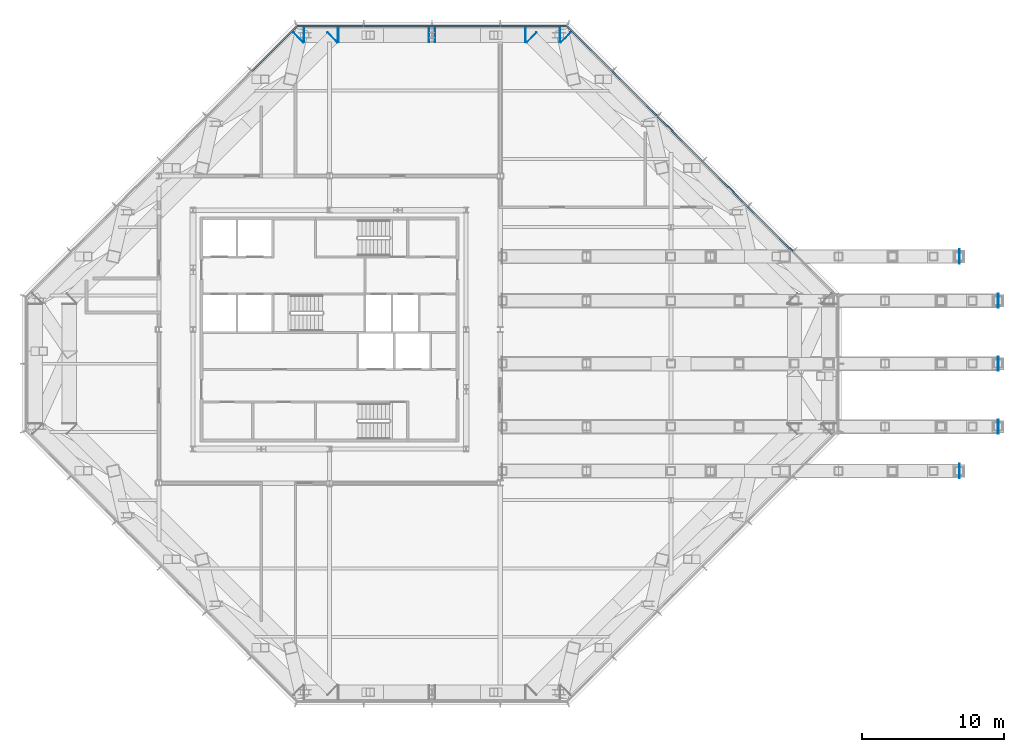
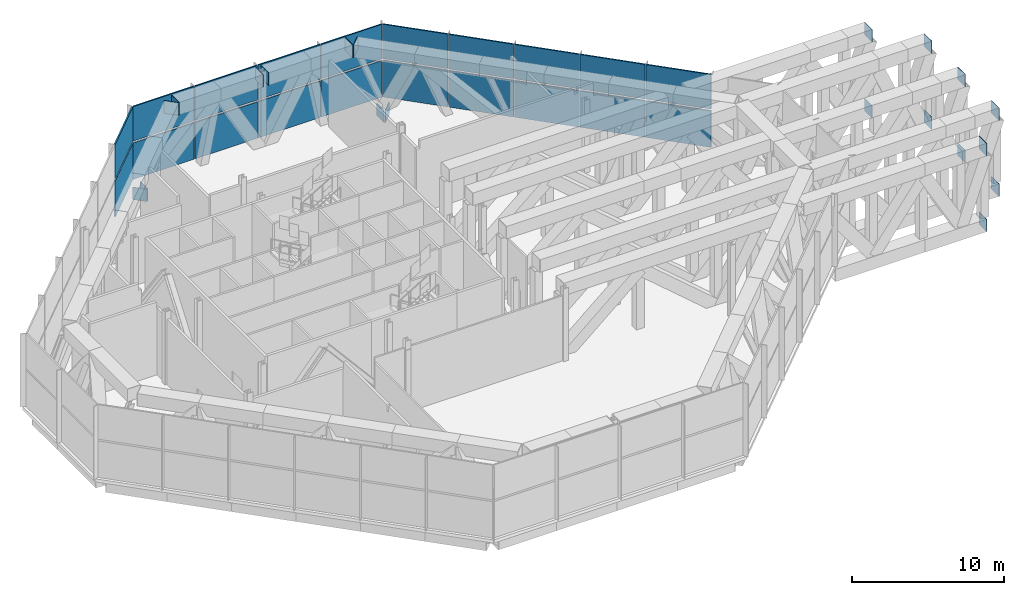
# One storey, part 13 of 18: 40 plates, 3 elements without a shape of their own.
"""IFC4 building model written with IfcOpenShell, lengths in metres."""

from ifc_helpers import new_model, si_unit, direction, frame, origin, origin_2d, place, context, subcontext, project, spatial, rectangle, extrude, material, layer, layer_set, material_profile, profile_set, type_object, element, aggregate, save


model = new_model("IFC4")

# Units and contexts
model_context = context("Model", 3, precision=1e-05, world=origin(), true_north=direction((0.0, 1.0)))
body_context = subcontext(model_context, "Body", "Model", "MODEL_VIEW")
ifc_project = project(units=[si_unit("LENGTHUNIT", "METRE"), si_unit("AREAUNIT", "SQUARE_METRE"), si_unit("VOLUMEUNIT", "CUBIC_METRE"), si_unit("PLANEANGLEUNIT", "RADIAN"), si_unit("MASSUNIT", "GRAM", prefix="KILO")], contexts=[model_context])

# Site, building, storey
site_placement = place(None, origin())
site = spatial("IfcSite", under=ifc_project, at=site_placement, CompositionType="ELEMENT")
building_placement = place(site_placement, origin())
building = spatial("IfcBuilding", under=site, at=building_placement, Name="Cairn Pilgrim Tower", CompositionType="ELEMENT")
storey_placement = place(building_placement, frame((0.0, 0.0, 261.0)))
storey = spatial("IfcBuildingStorey", under=building, at=storey_placement, Name="L67", CompositionType="ELEMENT", Elevation=261.0)

# Plates
ifc_material_1 = material(Name="Structural steel S460M", Category="steel")
ifc_material_profile = material_profile(ifc_material_1, rectangle(XDim=1.0, YDim=1.0, at=origin_2d()), Name="END PLATE BOX 1000x1000x60")
ifc_profile_set = profile_set([ifc_material_profile], Name="Structural steel S460M")
plate_type_1 = type_object("IfcPlateType", Name="END PLATE BOX 1000x1000x60", PredefinedType="SHEET", material=ifc_profile_set)
for number, where, z_axis, x_axis, name in (
    (1, (23.80908203125, 22.918212890625, -0.75), (-0.707106781187, 0.707106781187, 0.0), (-0.707106781187, -0.707106781187, 0.0), "EP-BT67-NE-BC6-B"),
    (2, (21.408935546875, 22.918212890625, 5.35009765625), (-0.707106781187, 0.707106781187, 0.0), (-0.707106781187, -0.707106781187, 0.0), "EP-BT67-NE-TC6-B"),
    (3, (23.3701171875, 23.10009765625, -0.75), (1.0, 0.0, 0.0), (0.0, 1.0, 0.0), "EP-BT67-N-BC1-A"),
):
    element("IfcPlate", number, at=place(storey_placement, frame(where, z_axis=z_axis, x_axis=x_axis)), inside=storey, type_object=plate_type_1, Name=name, PredefinedType="SHEET", context=body_context, shape_type="SweptSolid", body=[
        extrude(rectangle(XDim=1.0, YDim=1.0, at=origin_2d()), origin(), (0.0, 0.0, 1.0), 0.0400390625),
    ])
for number, where, z_axis, x_axis, name in (
    (4, (20.97021484375, 23.10009765625, 5.35009765625), (1.0, 0.0, 0.0), (0.0, 1.0, 0.0), "EP-BT67-N-TC1-A"),
    (5, (14.639404296875, 23.10009765625, 5.35009765625), (-1.0, 0.0, 0.0), (0.0, -1.0, 0.0), "EP-BT67-N-TC2-B"),
):
    element("IfcPlate", number, at=place(storey_placement, frame(where, z_axis=z_axis, x_axis=x_axis)), inside=storey, type_object=plate_type_1, Name=name, PredefinedType="SHEET", context=body_context, shape_type="SweptSolid", body=[
        extrude(rectangle(XDim=1.0, YDim=1.0, at=origin_2d()), origin(), (0.0, 0.0, 1.0), 0.039794921875),
    ])
for number, where, z_axis, x_axis, name in (
    (6, (14.160400390625, 23.10009765625, 5.35009765625), (1.0, 0.0, 0.0), (0.0, 1.0, 0.0), "EP-BT67-N-TC3-A"),
    (7, (5.429931640625, 23.10009765625, -0.75), (-1.0, 0.0, 0.0), (0.0, -1.0, 0.0), "EP-BT67-N-BC4-B"),
    (8, (7.829833984375, 23.10009765625, 5.35009765625), (-1.0, 0.0, 0.0), (0.0, -1.0, 0.0), "EP-BT67-N-TC4-B"),
    (9, (4.990966796875, 22.918212890625, -0.75), (0.707106781187, 0.707106781187, 0.0), (-0.707106781187, 0.707106781187, 0.0), "EP-BT67-NW-BC1-A"),
):
    element("IfcPlate", number, at=place(storey_placement, frame(where, z_axis=z_axis, x_axis=x_axis)), inside=storey, type_object=plate_type_1, Name=name, PredefinedType="SHEET", context=body_context, shape_type="SweptSolid", body=[
        extrude(rectangle(XDim=1.0, YDim=1.0, at=origin_2d()), origin(), (0.0, 0.0, 1.0), 0.0400390625),
    ])
plate_1_placement = place(storey_placement, frame((7.39111328125, 22.918212890625, 5.35009765625), z_axis=(0.704039115956, 0.710161195225, 0.0), x_axis=(-0.710161195225, 0.704039115956, 0.0)))
element("IfcPlate", 10, at=plate_1_placement, inside=storey, type_object=plate_type_1, Name="EP-BT67-NW-TC1-A", PredefinedType="SHEET", context=body_context, shape_type="SweptSolid", body=[
    extrude(rectangle(XDim=1.0, YDim=1.0, at=origin_2d()), origin(), (0.0, 0.0, 1.0), 0.039794921875),
])
for number, where, z_axis, x_axis, name in (
    (11, (51.460693359375, -7.539306640625, -0.75), (1.0, 0.0, 0.0), (0.0, 1.0, 0.0), "EP-SPS75-BC3-B"),
    (12, (51.460693359375, -7.539306640625, 5.35009765625), (1.0, 0.0, 0.0), (0.0, 1.0, 0.0), "EP-SPS75-TC4-B"),
    (13, (54.199951171875, -4.42724609375, -0.75), (1.0, 0.0, 0.0), (0.0, 1.0, 0.0), "EP-SPS-BC3-B"),
    (14, (54.199951171875, -4.42724609375, 5.35009765625), (1.0, 0.0, 0.0), (0.0, 1.0, 0.0), "EP-SPS-TC4-B"),
    (15, (54.199951171875, 0.0, -0.75), (1.0, 0.0, 0.0), (0.0, 1.0, 0.0), "EP-SPC-BC3-B"),
    (16, (54.199951171875, 0.0, 5.35009765625), (1.0, 0.0, 0.0), (0.0, 1.0, 0.0), "EP-SPC-TC6-B"),
    (17, (54.199951171875, 4.42724609375, -0.75), (1.0, 0.0, 0.0), (0.0, 1.0, 0.0), "EP-SPN-BC3-B"),
    (18, (54.199951171875, 4.42724609375, 5.35009765625), (1.0, 0.0, 0.0), (0.0, 1.0, 0.0), "EP-SPN-TC4-B"),
    (19, (51.460693359375, 7.539306640625, -0.75), (1.0, 0.0, 0.0), (0.0, 1.0, 0.0), "EP-SPN75-BC3-B"),
    (20, (51.460693359375, 7.539306640625, 5.35009765625), (1.0, 0.0, 0.0), (0.0, 1.0, 0.0), "EP-SPN75-TC4-B"),
):
    element("IfcPlate", number, at=place(storey_placement, frame(where, z_axis=z_axis, x_axis=x_axis)), inside=storey, type_object=plate_type_1, Name=name, PredefinedType="SHEET", context=body_context, shape_type="SweptSolid", body=[
        extrude(rectangle(XDim=1.0, YDim=1.0, at=origin_2d()), origin(), (0.0, 0.0, 1.0), 0.0400390625),
    ])

# Curtain wall, plate
ifc_material_2 = material(Name="Aluminium alloy 6063-T6 bronze anodised with Bronze tinted laminated low-E glass 8+16+8.8", Category="aluminium")
curtain_wall_type = type_object("IfcCurtainWallType", Name="PLANT LOUVRE CURTAIN WALL", PredefinedType="NOTDEFINED", material=ifc_material_2)
curtain_wall_1_placement = place(storey_placement, origin())
curtain_wall_1 = element("IfcCurtainWall", 21, at=curtain_wall_1_placement, inside=storey, type_object=curtain_wall_type, Name="Plant Louvre Curtain Wall NE", PredefinedType="NOTDEFINED")
ifc_material_3 = material(Name="Bronze anodised aluminium louvre blades", Category="aluminium")
ifc_layer_1 = layer(ifc_material_3, 0.10009765625)
ifc_layer_set_1 = layer_set([ifc_layer_1], Name="LOUVRE PANEL 4421x2775")
plate_type_2 = type_object("IfcPlateType", Name="LOUVRE PANEL 4421x2775", PredefinedType="CURTAIN_PANEL", material=ifc_layer_set_1)
plate_2_placement = place(storey_placement, frame((25.48779296875, 22.15869140625, 3.074951171875), z_axis=(0.0, 0.0, 1.0), x_axis=(-0.707106781187, 0.707106781187, 0.0)))
plate_2 = element("IfcPlate", 22, at=plate_2_placement, type_object=plate_type_2, Name="Louvre Panel NE6-2", PredefinedType="CURTAIN_PANEL", context=body_context, shape_type="SweptSolid", body=[
    extrude(rectangle(XDim=4.4208984375, YDim=0.10009765625, at=origin_2d()), origin(), (0.0, 0.0, 1.0), 2.77490234375),
])

curtain_wall_2_placement = place(storey_placement, origin())
curtain_wall_2 = element("IfcCurtainWall", 23, at=curtain_wall_2_placement, inside=storey, type_object=curtain_wall_type, Name="Plant Louvre Curtain Wall NW", PredefinedType="NOTDEFINED")
plate_3_placement = place(storey_placement, frame((3.312255859375, 22.15869140625, 3.074951171875), z_axis=(0.0, 0.0, 1.0), x_axis=(-0.707106781187, -0.707106781187, 0.0)))
plate_3 = element("IfcPlate", 24, at=plate_3_placement, type_object=plate_type_2, Name="Louvre Panel NW1-2", PredefinedType="CURTAIN_PANEL", context=body_context, shape_type="SweptSolid", body=[
    extrude(rectangle(XDim=4.4208984375, YDim=0.10009765625, at=origin_2d()), origin(), (0.0, 0.0, 1.0), 2.77490234375),
])

# Plate
ifc_layer_2 = layer(ifc_material_3, 0.10009765625)
ifc_layer_set_2 = layer_set([ifc_layer_2], Name="LOUVRE PANEL 4421x2925")
plate_type_3 = type_object("IfcPlateType", Name="LOUVRE PANEL 4421x2925", PredefinedType="CURTAIN_PANEL", material=ifc_layer_set_2)
plate_4_placement = place(storey_placement, frame((25.48779296875, 22.15869140625, 0.0), z_axis=(0.0, 0.0, 1.0), x_axis=(-0.707106781187, 0.707106781187, 0.0)))
plate_4 = element("IfcPlate", 25, at=plate_4_placement, type_object=plate_type_3, Name="Louvre Panel NE6-1", PredefinedType="CURTAIN_PANEL", context=body_context, shape_type="SweptSolid", body=[
    extrude(rectangle(XDim=4.4208984375, YDim=0.10009765625, at=origin_2d()), origin(), (0.0, 0.0, 1.0), 2.925048828125),
])

plate_5_placement = place(storey_placement, frame((3.312255859375, 22.15869140625, 0.0), z_axis=(0.0, 0.0, 1.0), x_axis=(-0.707106781187, -0.707106781187, 0.0)))
plate_5 = element("IfcPlate", 26, at=plate_5_placement, type_object=plate_type_3, Name="Louvre Panel NW1-1", PredefinedType="CURTAIN_PANEL", context=body_context, shape_type="SweptSolid", body=[
    extrude(rectangle(XDim=4.4208984375, YDim=0.10009765625, at=origin_2d()), origin(), (0.0, 0.0, 1.0), 2.925048828125),
])

aggregate(curtain_wall_2, [plate_5, plate_3])

ifc_layer_3 = layer(ifc_material_3, 0.10009765625)
ifc_layer_set_3 = layer_set([ifc_layer_3], Name="LOUVRE PANEL 4431x2775")
plate_type_4 = type_object("IfcPlateType", Name="LOUVRE PANEL 4431x2775", PredefinedType="CURTAIN_PANEL", material=ifc_layer_set_3)
plate_6_placement = place(storey_placement, frame((38.1865234375, 9.459716796875, 3.074951171875), z_axis=(0.0, 0.0, 1.0), x_axis=(-0.707106781187, 0.707106781187, 0.0)))
plate_6 = element("IfcPlate", 27, at=plate_6_placement, type_object=plate_type_4, Name="Louvre Panel NE2-2", PredefinedType="CURTAIN_PANEL", context=body_context, shape_type="SweptSolid", body=[
    extrude(rectangle(XDim=4.430908203125, YDim=0.10009765625, at=origin_2d()), origin(), (0.0, 0.0, 1.0), 2.77490234375),
])

plate_7_placement = place(storey_placement, frame((35.010986328125, 12.635498046875, 3.074951171875), z_axis=(0.0, 0.0, 1.0), x_axis=(-0.707106781187, 0.707106781187, 0.0)))
plate_7 = element("IfcPlate", 28, at=plate_7_placement, type_object=plate_type_4, Name="Louvre Panel NE3-2", PredefinedType="CURTAIN_PANEL", context=body_context, shape_type="SweptSolid", body=[
    extrude(rectangle(XDim=4.430908203125, YDim=0.10009765625, at=origin_2d()), origin(), (0.0, 0.0, 1.0), 2.77490234375),
])

plate_8_placement = place(storey_placement, frame((31.83544921875, 15.81103515625, 3.074951171875), z_axis=(0.0, 0.0, 1.0), x_axis=(-0.707106781187, 0.707106781187, 0.0)))
plate_8 = element("IfcPlate", 29, at=plate_8_placement, type_object=plate_type_4, Name="Louvre Panel NE4-2", PredefinedType="CURTAIN_PANEL", context=body_context, shape_type="SweptSolid", body=[
    extrude(rectangle(XDim=4.430908203125, YDim=0.10009765625, at=origin_2d()), origin(), (0.0, 0.0, 1.0), 2.77490234375),
])

plate_9_placement = place(storey_placement, frame((28.659912109375, 18.986572265625, 3.074951171875), z_axis=(0.0, 0.0, 1.0), x_axis=(-0.707106781187, 0.707106781187, 0.0)))
plate_9 = element("IfcPlate", 30, at=plate_9_placement, type_object=plate_type_4, Name="Louvre Panel NE5-2", PredefinedType="CURTAIN_PANEL", context=body_context, shape_type="SweptSolid", body=[
    extrude(rectangle(XDim=4.430908203125, YDim=0.10009765625, at=origin_2d()), origin(), (0.0, 0.0, 1.0), 2.77490234375),
])

ifc_layer_4 = layer(ifc_material_3, 0.10009765625)
ifc_layer_set_4 = layer_set([ifc_layer_4], Name="LOUVRE PANEL 4431x2925")
plate_type_5 = type_object("IfcPlateType", Name="LOUVRE PANEL 4431x2925", PredefinedType="CURTAIN_PANEL", material=ifc_layer_set_4)
plate_10_placement = place(storey_placement, frame((38.1865234375, 9.459716796875, 0.0), z_axis=(0.0, 0.0, 1.0), x_axis=(-0.707106781187, 0.707106781187, 0.0)))
plate_10 = element("IfcPlate", 31, at=plate_10_placement, type_object=plate_type_5, Name="Louvre Panel NE2-1", PredefinedType="CURTAIN_PANEL", context=body_context, shape_type="SweptSolid", body=[
    extrude(rectangle(XDim=4.430908203125, YDim=0.10009765625, at=origin_2d()), origin(), (0.0, 0.0, 1.0), 2.925048828125),
])

plate_11_placement = place(storey_placement, frame((35.010986328125, 12.635498046875, 0.0), z_axis=(0.0, 0.0, 1.0), x_axis=(-0.707106781187, 0.707106781187, 0.0)))
plate_11 = element("IfcPlate", 32, at=plate_11_placement, type_object=plate_type_5, Name="Louvre Panel NE3-1", PredefinedType="CURTAIN_PANEL", context=body_context, shape_type="SweptSolid", body=[
    extrude(rectangle(XDim=4.430908203125, YDim=0.10009765625, at=origin_2d()), origin(), (0.0, 0.0, 1.0), 2.925048828125),
])

plate_12_placement = place(storey_placement, frame((31.83544921875, 15.81103515625, 0.0), z_axis=(0.0, 0.0, 1.0), x_axis=(-0.707106781187, 0.707106781187, 0.0)))
plate_12 = element("IfcPlate", 33, at=plate_12_placement, type_object=plate_type_5, Name="Louvre Panel NE4-1", PredefinedType="CURTAIN_PANEL", context=body_context, shape_type="SweptSolid", body=[
    extrude(rectangle(XDim=4.430908203125, YDim=0.10009765625, at=origin_2d()), origin(), (0.0, 0.0, 1.0), 2.925048828125),
])

plate_13_placement = place(storey_placement, frame((28.659912109375, 18.986572265625, 0.0), z_axis=(0.0, 0.0, 1.0), x_axis=(-0.707106781187, 0.707106781187, 0.0)))
plate_13 = element("IfcPlate", 34, at=plate_13_placement, type_object=plate_type_5, Name="Louvre Panel NE5-1", PredefinedType="CURTAIN_PANEL", context=body_context, shape_type="SweptSolid", body=[
    extrude(rectangle(XDim=4.430908203125, YDim=0.10009765625, at=origin_2d()), origin(), (0.0, 0.0, 1.0), 2.925048828125),
])

aggregate(curtain_wall_1, [plate_10, plate_6, plate_11, plate_7, plate_12, plate_8, plate_13, plate_9, plate_4, plate_2])

# Curtain wall, plates
curtain_wall_3_placement = place(storey_placement, origin())
curtain_wall_3 = element("IfcCurtainWall", 35, at=curtain_wall_3_placement, inside=storey, type_object=curtain_wall_type, Name="Plant Louvre Curtain Wall N", PredefinedType="NOTDEFINED")
ifc_layer_5 = layer(ifc_material_3, 0.10009765625)
ifc_layer_set_5 = layer_set([ifc_layer_5], Name="LOUVRE PANEL 4626x2775")
plate_type_6 = type_object("IfcPlateType", Name="LOUVRE PANEL 4626x2775", PredefinedType="CURTAIN_PANEL", material=ifc_layer_set_5)
plate_14_placement = place(storey_placement, frame((21.543212890625, 23.75, 3.074951171875), z_axis=(0.0, 0.0, 1.0), x_axis=(-1.0, 0.0, 0.0)))
plate_14 = element("IfcPlate", 36, at=plate_14_placement, type_object=plate_type_6, Name="Louvre Panel N1-2", PredefinedType="CURTAIN_PANEL", context=body_context, shape_type="SweptSolid", body=[
    extrude(rectangle(XDim=4.62646484375, YDim=0.10009765625, at=origin_2d()), origin(), (0.0, 0.0, 1.0), 2.77490234375),
])
plate_15_placement = place(storey_placement, frame((7.2568359375, 23.75, 3.074951171875), z_axis=(0.0, 0.0, 1.0), x_axis=(-1.0, 0.0, 0.0)))
plate_15 = element("IfcPlate", 37, at=plate_15_placement, type_object=plate_type_6, Name="Louvre Panel N4-2", PredefinedType="CURTAIN_PANEL", context=body_context, shape_type="SweptSolid", body=[
    extrude(rectangle(XDim=4.62646484375, YDim=0.10009765625, at=origin_2d()), origin(), (0.0, 0.0, 1.0), 2.77490234375),
])
ifc_layer_6 = layer(ifc_material_3, 0.10009765625)
ifc_layer_set_6 = layer_set([ifc_layer_6], Name="LOUVRE PANEL 4626x2925")
plate_type_7 = type_object("IfcPlateType", Name="LOUVRE PANEL 4626x2925", PredefinedType="CURTAIN_PANEL", material=ifc_layer_set_6)
plate_16_placement = place(storey_placement, frame((21.543212890625, 23.75, 0.0), z_axis=(0.0, 0.0, 1.0), x_axis=(-1.0, 0.0, 0.0)))
plate_16 = element("IfcPlate", 38, at=plate_16_placement, type_object=plate_type_7, Name="Louvre Panel N1-1", PredefinedType="CURTAIN_PANEL", context=body_context, shape_type="SweptSolid", body=[
    extrude(rectangle(XDim=4.62646484375, YDim=0.10009765625, at=origin_2d()), origin(), (0.0, 0.0, 1.0), 2.925048828125),
])
plate_17_placement = place(storey_placement, frame((7.2568359375, 23.75, 0.0), z_axis=(0.0, 0.0, 1.0), x_axis=(-1.0, 0.0, 0.0)))
plate_17 = element("IfcPlate", 39, at=plate_17_placement, type_object=plate_type_7, Name="Louvre Panel N4-1", PredefinedType="CURTAIN_PANEL", context=body_context, shape_type="SweptSolid", body=[
    extrude(rectangle(XDim=4.62646484375, YDim=0.10009765625, at=origin_2d()), origin(), (0.0, 0.0, 1.0), 2.925048828125),
])
ifc_layer_7 = layer(ifc_material_3, 0.10009765625)
ifc_layer_set_7 = layer_set([ifc_layer_7], Name="LOUVRE PANEL 4740x2775")
plate_type_8 = type_object("IfcPlateType", Name="LOUVRE PANEL 4740x2775", PredefinedType="CURTAIN_PANEL", material=ifc_layer_set_7)
plate_18_placement = place(storey_placement, frame((16.800048828125, 23.75, 3.074951171875), z_axis=(0.0, 0.0, 1.0), x_axis=(-1.0, 0.0, 0.0)))
plate_18 = element("IfcPlate", 40, at=plate_18_placement, type_object=plate_type_8, Name="Louvre Panel N2-2", PredefinedType="CURTAIN_PANEL", context=body_context, shape_type="SweptSolid", body=[
    extrude(rectangle(XDim=4.739990234375, YDim=0.10009765625, at=origin_2d()), origin(), (0.0, 0.0, 1.0), 2.77490234375),
])
plate_19_placement = place(storey_placement, frame((12.0, 23.75, 3.074951171875), z_axis=(0.0, 0.0, 1.0), x_axis=(-1.0, 0.0, 0.0)))
plate_19 = element("IfcPlate", 41, at=plate_19_placement, type_object=plate_type_8, Name="Louvre Panel N3-2", PredefinedType="CURTAIN_PANEL", context=body_context, shape_type="SweptSolid", body=[
    extrude(rectangle(XDim=4.739990234375, YDim=0.10009765625, at=origin_2d()), origin(), (0.0, 0.0, 1.0), 2.77490234375),
])
ifc_layer_8 = layer(ifc_material_3, 0.10009765625)
ifc_layer_set_8 = layer_set([ifc_layer_8], Name="LOUVRE PANEL 4740x2925")
plate_type_9 = type_object("IfcPlateType", Name="LOUVRE PANEL 4740x2925", PredefinedType="CURTAIN_PANEL", material=ifc_layer_set_8)
plate_20_placement = place(storey_placement, frame((16.800048828125, 23.75, 0.0), z_axis=(0.0, 0.0, 1.0), x_axis=(-1.0, 0.0, 0.0)))
plate_20 = element("IfcPlate", 42, at=plate_20_placement, type_object=plate_type_9, Name="Louvre Panel N2-1", PredefinedType="CURTAIN_PANEL", context=body_context, shape_type="SweptSolid", body=[
    extrude(rectangle(XDim=4.739990234375, YDim=0.10009765625, at=origin_2d()), origin(), (0.0, 0.0, 1.0), 2.925048828125),
])
plate_21_placement = place(storey_placement, frame((12.0, 23.75, 0.0), z_axis=(0.0, 0.0, 1.0), x_axis=(-1.0, 0.0, 0.0)))
plate_21 = element("IfcPlate", 43, at=plate_21_placement, type_object=plate_type_9, Name="Louvre Panel N3-1", PredefinedType="CURTAIN_PANEL", context=body_context, shape_type="SweptSolid", body=[
    extrude(rectangle(XDim=4.739990234375, YDim=0.10009765625, at=origin_2d()), origin(), (0.0, 0.0, 1.0), 2.925048828125),
])
aggregate(curtain_wall_3, [plate_16, plate_14, plate_20, plate_18, plate_21, plate_19, plate_17, plate_15])

save(model, "model.ifc")
